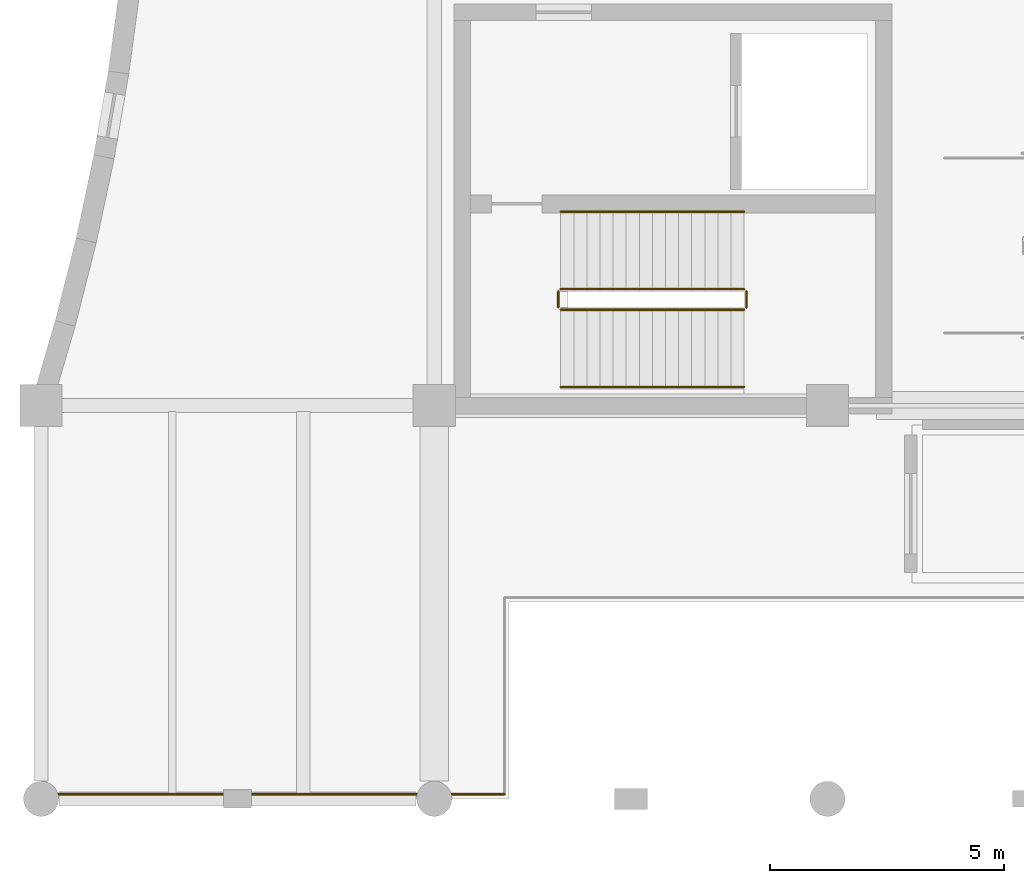
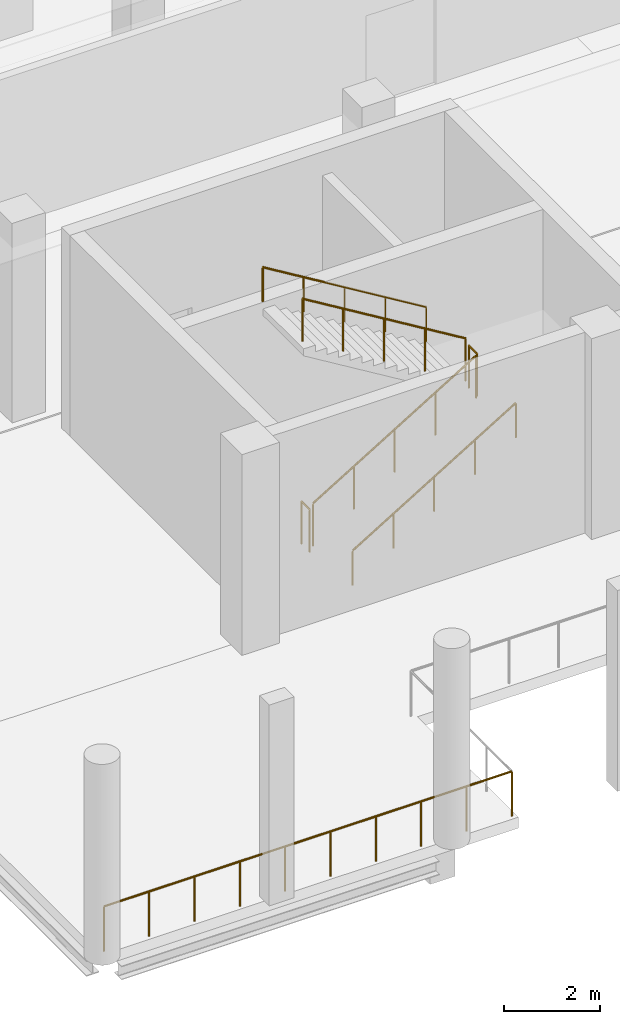
# One storey, part 55 of 66: 7 railings.
"""IFC4 building model written with IfcOpenShell, lengths in metres."""

import ifcopenshell
import ifcopenshell.guid

model = None  # the IFC model being written
_history = None  # IfcOwnerHistory: only IFC2X3 demands one
_inside = {}  # id of a spatial element -> (the spatial element, [elements in it])
_under = {}  # id of a project, library or spatial element -> (it, [spatial elements below it])
_declared = {}  # id of a project -> (the project, [libraries it declares])
_typed = {}  # id of a type object -> (the type object, [elements of that type])
_made_of = {}  # id of a material, layer set ... -> (it, [elements and type objects made of it])


def new_model(schema):
    """Start an empty IFC model of exactly this schema.

    Asked for "IFC4X3", IfcOpenShell would pick the latest addendum, in which some entities
    have other attributes; the version numbers below select the first issue.
    IFC2X3 requires an IfcOwnerHistory on every rooted entity: one is made here for all.
    """
    global model, _history
    if schema == "IFC4X3":
        model = ifcopenshell.file(schema_version=(4, 3, 0, 0))
    else:
        model = ifcopenshell.file(schema=schema)
    _inside.clear()
    _under.clear()
    _declared.clear()
    _typed.clear()
    _made_of.clear()
    _history = None
    if model.schema == "IFC2X3":
        org = make("IfcOrganization", Name="unknown")
        user = make(
            "IfcPersonAndOrganization",
            ThePerson=make("IfcPerson", FamilyName="unknown"),
            TheOrganization=org,
        )
        app = make(
            "IfcApplication",
            ApplicationDeveloper=org,
            Version="unknown",
            ApplicationFullName="unknown",
            ApplicationIdentifier="unknown",
        )
        _history = make(
            "IfcOwnerHistory",
            OwningUser=user,
            OwningApplication=app,
            ChangeAction="ADDED",
            CreationDate=0,
        )
    return model


def make(cls, **values):
    """One entity of the class cls with the attributes given. An attribute that is None is left unset."""
    return model.create_entity(
        cls, **{name: value for name, value in values.items() if value is not None}
    )


def rooted(cls, **values):
    """An entity with a GlobalId (a new one), such as an element, a storey or a relation."""
    return make(cls, GlobalId=ifcopenshell.guid.new(), OwnerHistory=_history, **values)


def si_unit(unit_type, name, prefix=None):
    """IfcSIUnit, for example si_unit("LENGTHUNIT", "METRE", prefix="MILLI")."""
    return make("IfcSIUnit", UnitType=unit_type, Prefix=prefix, Name=name)


def assignment(units):
    """IfcUnitAssignment: the units of a project."""
    return None if units is None else make("IfcUnitAssignment", Units=units)


def point(xyz):
    """IfcCartesianPoint."""
    return None if xyz is None else make("IfcCartesianPoint", Coordinates=xyz)


def direction(xyz):
    """IfcDirection."""
    return None if xyz is None else make("IfcDirection", DirectionRatios=xyz)


def frame(location, z_axis=None, x_axis=None):
    """IfcAxis2Placement3D, a coordinate frame: its origin and axes. An axis left out is left unset."""
    return make(
        "IfcAxis2Placement3D",
        Location=point(location),
        Axis=direction(z_axis),
        RefDirection=direction(x_axis),
    )


def frame_2d(location, x_axis=None):
    """IfcAxis2Placement2D, a coordinate frame in the plane: its origin and x axis."""
    return make(
        "IfcAxis2Placement2D", Location=point(location), RefDirection=direction(x_axis)
    )


def origin():
    """The frame at (0, 0, 0) with its axes left unset."""
    return frame((0.0, 0.0, 0.0))


def origin_2d():
    """The frame at (0, 0) in the plane with its x axis left unset."""
    return frame_2d((0.0, 0.0))


def place(relative_to, where):
    """IfcLocalPlacement: puts the frame where relative to a parent placement (None: the world)."""
    return make(
        "IfcLocalPlacement", PlacementRelTo=relative_to, RelativePlacement=where
    )


def context(
    kind, dimensions, precision=None, world=None, true_north=None, identifier=None
):
    """IfcGeometricRepresentationContext, for example the 3D "Model" context."""
    return make(
        "IfcGeometricRepresentationContext",
        ContextIdentifier=identifier,
        ContextType=kind,
        CoordinateSpaceDimension=dimensions,
        Precision=precision,
        WorldCoordinateSystem=world,
        TrueNorth=true_north,
    )


def subcontext(parent, identifier, kind, view, scale=None):
    """IfcGeometricRepresentationSubContext, for example "Body" below "Model"."""
    return make(
        "IfcGeometricRepresentationSubContext",
        ContextIdentifier=identifier,
        ContextType=kind,
        ParentContext=parent,
        TargetScale=scale,
        TargetView=view,
    )


def project(units=None, contexts=None):
    """IfcProject with its units and contexts."""
    return rooted(
        "IfcProject",
        Name="project",
        RepresentationContexts=contexts,
        UnitsInContext=assignment(units),
    )


def spatial(cls, under=None, at=None, **own):
    """A site, building, storey or space (cls), placed at a placement, below another one or the project."""
    s = rooted(cls, ObjectPlacement=at, **own)
    if under is not None:
        _under.setdefault(under.id(), (under, []))[1].append(s)
    return s


def profile(cls, at=None, kind="AREA", **sizes):
    """A parametric profile (cls). Its sizes go by their IFC names, for example OverallWidth=200.0."""
    return make(cls, ProfileType=kind, Position=at, **sizes)


def circle(**sizes):
    """IfcCircleProfileDef."""
    return profile("IfcCircleProfileDef", **sizes)


def extrude(swept, where, along, depth):
    """IfcExtrudedAreaSolid: the profile swept, set in the frame where, extruded along a direction by depth."""
    return make(
        "IfcExtrudedAreaSolid",
        SweptArea=swept,
        Position=where,
        ExtrudedDirection=direction(along),
        Depth=depth,
    )


def shape(context_of_items, identifier, shape_type, items):
    """IfcShapeRepresentation: the items that make up one representation, for example the "Body"."""
    return make(
        "IfcShapeRepresentation",
        ContextOfItems=context_of_items,
        RepresentationIdentifier=identifier,
        RepresentationType=shape_type,
        Items=items,
    )


def material(Name=None, Category=None):
    """IfcMaterial."""
    return make("IfcMaterial", Name=Name, Category=Category)


def layer(
    of_material, thickness, ventilated=None, Name=None, Category=None, Priority=None
):
    """IfcMaterialLayer: one layer of a wall or slab, of a material (None: an air gap)."""
    return make(
        "IfcMaterialLayer",
        Material=of_material,
        LayerThickness=thickness,
        IsVentilated=ventilated,
        Name=Name,
        Category=Category,
        Priority=Priority,
    )


def layer_set(layers, Name=None):
    """IfcMaterialLayerSet."""
    return make("IfcMaterialLayerSet", MaterialLayers=layers, LayerSetName=Name)


def made_of(thing, what):
    """Note that an element or type object is made of a material, layer set ...; save() writes the relation."""
    if what is not None:
        _made_of.setdefault(what.id(), (what, []))[1].append(thing)
    return thing


def type_object(cls, material=None, **own):
    """A type object (cls), such as IfcWallType, which elements share."""
    return made_of(rooted(cls, **own), material)


def element(
    cls,
    number,
    at=None,
    inside=None,
    cuts=None,
    type_object=None,
    material=None,
    context=None,
    identifier="Body",
    shape_type=None,
    held_by="IfcProductDefinitionShape",
    body=None,
    shapes=None,
    **own,
):
    """One element of the class cls, such as IfcWall. Its Tag is "e" and its number.

    at: its placement. inside: the storey or other place that contains it. cuts: it is an
    opening in that element (IfcRelVoidsElement). A single representation is given by context,
    identifier, shape_type and body (its items); several are given by shapes. held_by: the class
    of the entity that holds the representations. save() writes the other relations.
    """
    e = rooted(cls, Tag="e%d" % number, ObjectPlacement=at, **own)
    if body is not None:
        shapes = [shape(context, identifier, shape_type, body)]
    if shapes is not None:
        e.Representation = make(held_by, Representations=shapes)
    if inside is not None:
        _inside.setdefault(inside.id(), (inside, []))[1].append(e)
    if cuts is not None:
        rooted(
            "IfcRelVoidsElement", RelatingBuildingElement=cuts, RelatedOpeningElement=e
        )
    if type_object is not None:
        _typed.setdefault(type_object.id(), (type_object, []))[1].append(e)
    return made_of(e, material)


def aggregate(whole, parts):
    """IfcRelAggregates: a whole, such as a stair, and the parts it consists of."""
    return rooted("IfcRelAggregates", RelatingObject=whole, RelatedObjects=parts)


def save(model, path):
    """Write the relations noted so far, then the file.

    IfcRelAggregates (storeys below a building ...), IfcRelContainedInSpatialStructure (elements
    in a storey), IfcRelDefinesByType, IfcRelAssociatesMaterial and IfcRelDeclares: one each for
    every whole, place, type object, material and project.
    """
    for whole, parts in _under.values():
        aggregate(whole, parts)
    for where, things in _inside.values():
        rooted(
            "IfcRelContainedInSpatialStructure",
            RelatedElements=things,
            RelatingStructure=where,
        )
    for kind, things in _typed.values():
        rooted("IfcRelDefinesByType", RelatedObjects=things, RelatingType=kind)
    for what, things in _made_of.values():
        rooted("IfcRelAssociatesMaterial", RelatedObjects=things, RelatingMaterial=what)
    for by, libraries in _declared.values():
        rooted("IfcRelDeclares", RelatingContext=by, RelatedDefinitions=libraries)
    model.write(path)


model = new_model("IFC4")

# Units and contexts
model_context = context("Model", 3, precision=1e-05, world=origin(), true_north=direction((0.0, 1.0)))
body_context = subcontext(model_context, "Body", "Model", "MODEL_VIEW")
ifc_project = project(units=[si_unit("LENGTHUNIT", "METRE"), si_unit("AREAUNIT", "SQUARE_METRE"), si_unit("VOLUMEUNIT", "CUBIC_METRE"), si_unit("PLANEANGLEUNIT", "RADIAN"), si_unit("MASSUNIT", "GRAM", prefix="KILO")], contexts=[model_context])

# Site, building, storey
site_placement = place(None, origin())
site = spatial("IfcSite", under=ifc_project, at=site_placement, CompositionType="ELEMENT")
building_placement = place(site_placement, origin())
building = spatial("IfcBuilding", under=site, at=building_placement, Name="Zulmaris Art Gallery", CompositionType="ELEMENT")
storey_placement = place(building_placement, frame((0.0, 0.0, 5.39990234375)))
storey = spatial("IfcBuildingStorey", under=building, at=storey_placement, Name="L01", CompositionType="ELEMENT", Elevation=5.39990234375)

# Railings
ifc_material_1 = material(Name="Bronze & Laminated Glass Balustrade", Category="glass")
ifc_layer_1 = layer(ifc_material_1, 0.070068359375)
ifc_layer_set_1 = layer_set([ifc_layer_1], Name="Bronze & Laminated Glass Balustrade")
railing_type_1 = type_object("IfcRailingType", Name="RAIL-BAL01", PredefinedType="BALUSTRADE", material=ifc_layer_set_1)
railing_1_placement = place(storey_placement, frame((24.10009765625, 13.300048828125, 0.0)))
element("IfcRailing", 1, at=railing_1_placement, inside=storey, type_object=railing_type_1, Name="L01 V2 South West Corner Balustrade", PredefinedType="BALUSTRADE", context=body_context, shape_type="SweptSolid", body=[
    extrude(circle(Radius=0.02392578125, at=origin_2d()), frame((0.0, 0.0, 1.1357421875), z_axis=(1.0, 0.0, 0.0), x_axis=(0.0, 1.0, 0.0)), (0.0, 0.0, 1.0), 9.7998046875),
    extrude(circle(Radius=0.02099609375, at=origin_2d()), origin(), (0.0, 0.0, 1.0), 1.11181640625),
    extrude(circle(Radius=0.02099609375, at=origin_2d()), frame((1.0888671875, 0.0, 0.0)), (0.0, 0.0, 1.0), 1.11181640625),
    extrude(circle(Radius=0.02099609375, at=origin_2d()), frame((2.177734375, 0.0, 0.0)), (0.0, 0.0, 1.0), 1.11181640625),
    extrude(circle(Radius=0.02099609375, at=origin_2d()), frame((3.2666015625, 0.0, 0.0)), (0.0, 0.0, 1.0), 1.11181640625),
    extrude(circle(Radius=0.02099609375, at=origin_2d()), frame((4.35546875, 0.0, 0.0)), (0.0, 0.0, 1.0), 1.11181640625),
    extrude(circle(Radius=0.02099609375, at=origin_2d()), frame((5.4443359375, 0.0, 0.0)), (0.0, 0.0, 1.0), 1.11181640625),
    extrude(circle(Radius=0.02099609375, at=origin_2d()), frame((6.533203125, 0.0, 0.0)), (0.0, 0.0, 1.0), 1.11181640625),
    extrude(circle(Radius=0.02099609375, at=origin_2d()), frame((7.6220703125, 0.0, 0.0)), (0.0, 0.0, 1.0), 1.11181640625),
    extrude(circle(Radius=0.02099609375, at=origin_2d()), frame((8.7109375, 0.0, 0.0)), (0.0, 0.0, 1.0), 1.11181640625),
    extrude(circle(Radius=0.02099609375, at=origin_2d()), frame((9.7998046875, 0.0, 0.0)), (0.0, 0.0, 1.0), 1.11181640625),
])
ifc_material_2 = material(Name="Steel S355J2", Category="steel")
ifc_layer_2 = layer(ifc_material_2, 0.050048828125)
ifc_layer_set_2 = layer_set([ifc_layer_2], Name="Steel S355J2")
railing_type_2 = type_object("IfcRailingType", Name="RAIL-STGRD", PredefinedType="GUARDRAIL", material=ifc_layer_set_2)
railing_2_placement = place(storey_placement, frame((35.10009765625, 23.64990234375, 0.170166015625)))
element("IfcRailing", 2, at=railing_2_placement, inside=storey, type_object=railing_type_2, Name="L01 ST1 stair guard 1", PredefinedType="GUARDRAIL", context=body_context, shape_type="SweptSolid", body=[
    extrude(circle(Radius=0.02392578125, at=origin_2d()), frame((0.0, 0.0, 1.076171875), z_axis=(0.854794262968, 0.0, 0.518967020143), x_axis=(0.0, 1.0, 0.0)), (0.0, 0.0, 1.0), 4.585693359375),
    extrude(circle(Radius=0.02099609375, at=origin_2d()), origin(), (0.0, 0.0, 1.0), 1.052001953125),
    extrude(circle(Radius=0.02099609375, at=origin_2d()), frame((0.97998046875, 0.0, 0.594970703125)), (0.0, 0.0, 1.0), 1.052001953125),
    extrude(circle(Radius=0.02099609375, at=origin_2d()), frame((1.9599609375, 0.0, 1.18994140625)), (0.0, 0.0, 1.0), 1.052001953125),
    extrude(circle(Radius=0.02099609375, at=origin_2d()), frame((2.93994140625, 0.0, 1.784912109375)), (0.0, 0.0, 1.0), 1.052001953125),
    extrude(circle(Radius=0.02099609375, at=origin_2d()), frame((3.919921875, 0.0, 2.3798828125)), (0.0, 0.0, 1.0), 1.052001953125),
])
railing_3_placement = place(storey_placement, frame((39.070068359375, 23.699951171875, 2.550048828125)))
element("IfcRailing", 3, at=railing_3_placement, inside=storey, type_object=railing_type_2, Name="L01 ST1 stair guard 2", PredefinedType="GUARDRAIL", context=body_context, shape_type="SweptSolid", body=[
    extrude(circle(Radius=0.02392578125, at=origin_2d()), frame((0.0, 0.0, 1.076171875), z_axis=(0.0, 1.0, 0.0), x_axis=(-1.0, 0.0, 0.0)), (0.0, 0.0, 1.0), 0.340087890625),
    extrude(circle(Radius=0.02099609375, at=origin_2d()), origin(), (0.0, 0.0, 1.0), 1.052001953125),
    extrude(circle(Radius=0.02099609375, at=origin_2d()), frame((0.0, 0.340087890625, 0.0)), (0.0, 0.0, 1.0), 1.052001953125),
])
railing_4_placement = place(storey_placement, frame((39.02001953125, 24.090087890625, 2.72021484375)))
element("IfcRailing", 4, at=railing_4_placement, inside=storey, type_object=railing_type_2, Name="L01 ST1 stair guard 3", PredefinedType="GUARDRAIL", context=body_context, shape_type="SweptSolid", body=[
    extrude(circle(Radius=0.02392578125, at=origin_2d()), frame((0.0, 0.0, 1.076171875), z_axis=(-0.854794262968, 0.0, 0.518967020143), x_axis=(0.0, -1.0, 0.0)), (0.0, 0.0, 1.0), 4.585693359375),
    extrude(circle(Radius=0.02099609375, at=origin_2d()), origin(), (0.0, 0.0, 1.0), 1.052001953125),
    extrude(circle(Radius=0.02099609375, at=origin_2d()), frame((-0.97998046875, 0.0, 0.594970703125)), (0.0, 0.0, 1.0), 1.052001953125),
    extrude(circle(Radius=0.02099609375, at=origin_2d()), frame((-1.9599609375, 0.0, 1.18994140625)), (0.0, 0.0, 1.0), 1.052001953125),
    extrude(circle(Radius=0.02099609375, at=origin_2d()), frame((-2.93994140625, 0.0, 1.784912109375)), (0.0, 0.0, 1.0), 1.052001953125),
    extrude(circle(Radius=0.02099609375, at=origin_2d()), frame((-3.919921875, 0.0, 2.3798828125)), (0.0, 0.0, 1.0), 1.052001953125),
])
railing_5_placement = place(storey_placement, frame((35.050048828125, 23.699951171875, 0.0)))
element("IfcRailing", 5, at=railing_5_placement, inside=storey, type_object=railing_type_2, Name="L01 ST1 stair guard 4", PredefinedType="GUARDRAIL", context=body_context, shape_type="SweptSolid", body=[
    extrude(circle(Radius=0.02392578125, at=origin_2d()), frame((0.0, 0.0, 1.076171875), z_axis=(0.0, 1.0, 0.0), x_axis=(-1.0, 0.0, 0.0)), (0.0, 0.0, 1.0), 0.340087890625),
    extrude(circle(Radius=0.02099609375, at=origin_2d()), origin(), (0.0, 0.0, 1.0), 1.052001953125),
    extrude(circle(Radius=0.02099609375, at=origin_2d()), frame((0.0, 0.340087890625, 0.0)), (0.0, 0.0, 1.0), 1.052001953125),
])
ifc_material_3 = material(Name="Brushed Bronze Handrail", Category="steel")
ifc_layer_3 = layer(ifc_material_3, 0.048095703125)
ifc_layer_set_3 = layer_set([ifc_layer_3], Name="Brushed Bronze Handrail")
railing_type_3 = type_object("IfcRailingType", Name="RAIL-STHND", PredefinedType="HANDRAIL", material=ifc_layer_set_3)
railing_6_placement = place(storey_placement, frame((35.10009765625, 22.0, 0.170166015625)))
element("IfcRailing", 6, at=railing_6_placement, inside=storey, type_object=railing_type_3, Name="L01 ST1 stair handrail 1", PredefinedType="HANDRAIL", context=body_context, shape_type="SweptSolid", body=[
    extrude(circle(Radius=0.02392578125, at=origin_2d()), frame((0.0, 0.0, 0.8759765625), z_axis=(0.854794262968, 0.0, 0.518967020143), x_axis=(0.0, 1.0, 0.0)), (0.0, 0.0, 1.0), 4.585693359375),
    extrude(circle(Radius=0.02099609375, at=origin_2d()), origin(), (0.0, 0.0, 1.0), 0.851806640625),
    extrude(circle(Radius=0.02099609375, at=origin_2d()), frame((0.97998046875, 0.0, 0.594970703125)), (0.0, 0.0, 1.0), 0.851806640625),
    extrude(circle(Radius=0.02099609375, at=origin_2d()), frame((1.9599609375, 0.0, 1.18994140625)), (0.0, 0.0, 1.0), 0.851806640625),
    extrude(circle(Radius=0.02099609375, at=origin_2d()), frame((2.93994140625, 0.0, 1.784912109375)), (0.0, 0.0, 1.0), 0.851806640625),
    extrude(circle(Radius=0.02099609375, at=origin_2d()), frame((3.919921875, 0.0, 2.3798828125)), (0.0, 0.0, 1.0), 0.851806640625),
])
railing_7_placement = place(storey_placement, frame((39.02001953125, 25.739990234375, 2.72021484375)))
element("IfcRailing", 7, at=railing_7_placement, inside=storey, type_object=railing_type_3, Name="L01 ST1 stair handrail 2", PredefinedType="HANDRAIL", context=body_context, shape_type="SweptSolid", body=[
    extrude(circle(Radius=0.02392578125, at=origin_2d()), frame((0.0, 0.0, 0.8759765625), z_axis=(-0.854794262968, 0.0, 0.518967020143), x_axis=(0.0, -1.0, 0.0)), (0.0, 0.0, 1.0), 4.585693359375),
    extrude(circle(Radius=0.02099609375, at=origin_2d()), origin(), (0.0, 0.0, 1.0), 0.851806640625),
    extrude(circle(Radius=0.02099609375, at=origin_2d()), frame((-0.97998046875, 0.0, 0.594970703125)), (0.0, 0.0, 1.0), 0.851806640625),
    extrude(circle(Radius=0.02099609375, at=origin_2d()), frame((-1.9599609375, 0.0, 1.18994140625)), (0.0, 0.0, 1.0), 0.851806640625),
    extrude(circle(Radius=0.02099609375, at=origin_2d()), frame((-2.93994140625, 0.0, 1.784912109375)), (0.0, 0.0, 1.0), 0.851806640625),
    extrude(circle(Radius=0.02099609375, at=origin_2d()), frame((-3.919921875, 0.0, 2.3798828125)), (0.0, 0.0, 1.0), 0.851806640625),
])

save(model, "model.ifc")
